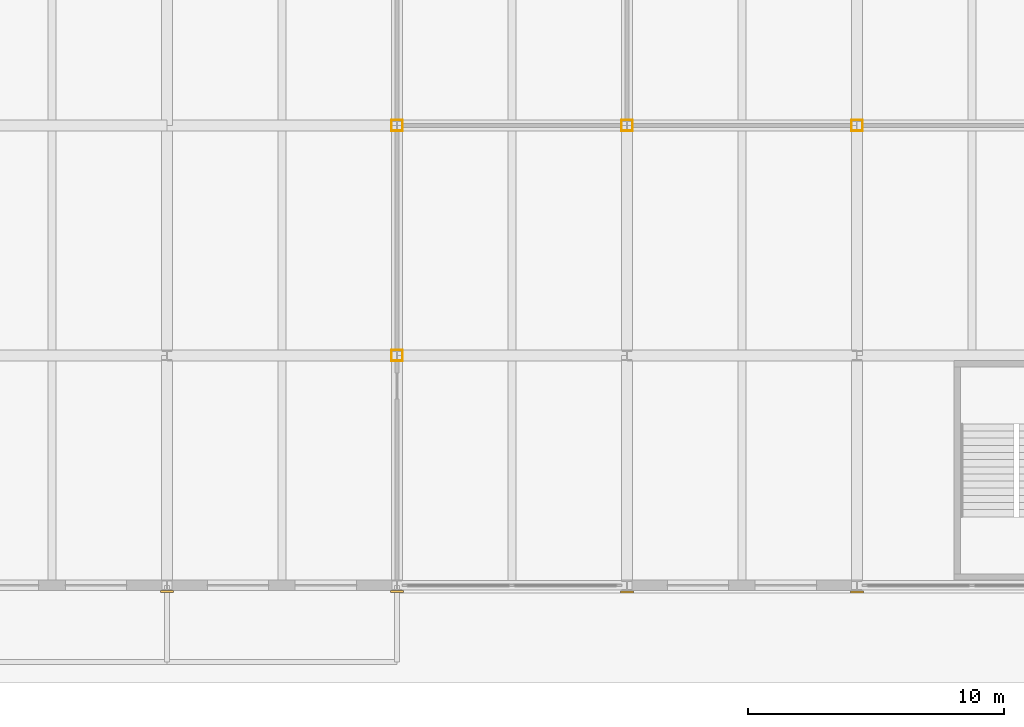
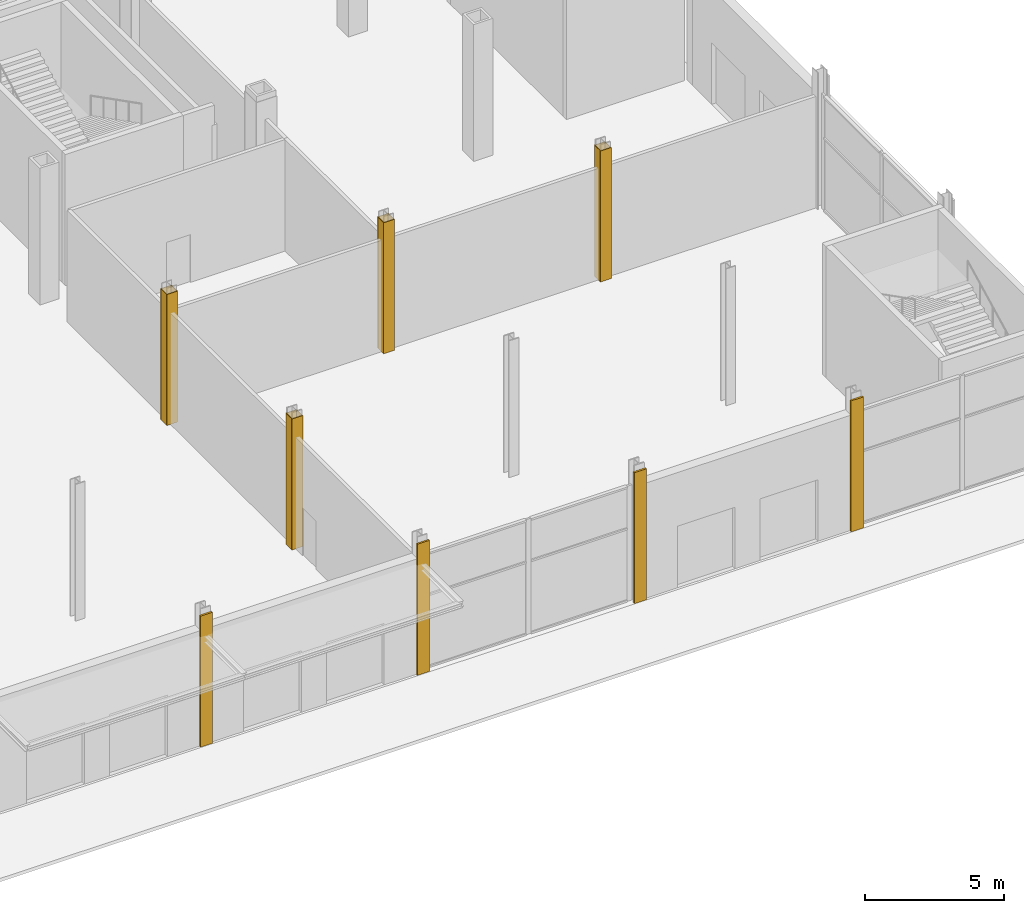
# One storey, part 28 of 34: 20 coverings.
"""IFC4 building model written with IfcOpenShell, lengths in metres."""

from ifc_helpers import new_model, si_unit, direction, frame, origin, origin_2d, place, context, subcontext, project, spatial, rectangle, extrude, material, layer, layer_set, type_object, element, save


model = new_model("IFC4")

# Units and contexts
model_context = context("Model", 3, precision=1e-05, world=origin(), true_north=direction((0.0, 1.0)))
body_context = subcontext(model_context, "Body", "Model", "MODEL_VIEW")
ifc_project = project(units=[si_unit("LENGTHUNIT", "METRE"), si_unit("AREAUNIT", "SQUARE_METRE"), si_unit("VOLUMEUNIT", "CUBIC_METRE"), si_unit("PLANEANGLEUNIT", "RADIAN"), si_unit("MASSUNIT", "GRAM", prefix="KILO")], contexts=[model_context])

# Site, building, storey
site_placement = place(None, origin())
site = spatial("IfcSite", under=ifc_project, at=site_placement, CompositionType="ELEMENT")
building_placement = place(site_placement, origin())
building = spatial("IfcBuilding", under=site, at=building_placement, Name="Loomwork Tower", CompositionType="ELEMENT")
storey_placement = place(building_placement, origin())
storey = spatial("IfcBuildingStorey", under=building, at=storey_placement, Name="L00", CompositionType="ELEMENT", Elevation=0.0)

# Coverings
ifc_material_1 = material(Name="Two-hour fire-rated gypsum board casing")
ifc_layer_1 = layer(ifc_material_1, 0.02490234375)
ifc_layer_set_1 = layer_set([ifc_layer_1], Name="Column fire casing 25")
covering_type_1 = type_object("IfcCoveringType", Name="Column fire casing 25", PredefinedType="CLADDING", material=ifc_layer_set_1)
for number, where, z_axis, x_axis, name in (
    (1, (36.0, -17.7880859375, 0.0), (0.0, 0.0, 1.0), (1.0, 0.0, 0.0), "Column casing 36 -18 L00"),
    (2, (36.0, -18.2119140625, 0.0), (0.0, 0.0, 1.0), (1.0, 0.0, 0.0), "Column casing 36 -18 L00"),
):
    element("IfcCovering", number, at=place(storey_placement, frame(where, z_axis=z_axis, x_axis=x_axis)), inside=storey, type_object=covering_type_1, Name=name, PredefinedType="CLADDING", context=body_context, shape_type="SweptSolid", body=[
        extrude(rectangle(XDim=0.451416015625, YDim=0.02490234375, at=origin_2d()), origin(), (0.0, 0.0, 1.0), 5.75),
    ])
for number, where, z_axis, x_axis, name in (
    (3, (36.213134765625, -18.0, 0.0), (0.0, 0.0, 1.0), (1.0, 0.0, 0.0), "Column casing 36 -18 L00"),
    (4, (35.786865234375, -18.0, 0.0), (0.0, 0.0, 1.0), (1.0, 0.0, 0.0), "Column casing 36 -18 L00"),
):
    element("IfcCovering", number, at=place(storey_placement, frame(where, z_axis=z_axis, x_axis=x_axis)), inside=storey, type_object=covering_type_1, Name=name, PredefinedType="CLADDING", context=body_context, shape_type="SweptSolid", body=[
        extrude(rectangle(XDim=0.02490234375, YDim=0.398681640625, at=origin_2d()), origin(), (0.0, 0.0, 1.0), 5.75),
    ])
for number, where, z_axis, x_axis, name in (
    (5, (36.0, -8.7880859375, 0.0), (0.0, 0.0, 1.0), (1.0, 0.0, 0.0), "Column casing 36 -9 L00"),
    (6, (36.0, -9.2119140625, 0.0), (0.0, 0.0, 1.0), (1.0, 0.0, 0.0), "Column casing 36 -9 L00"),
):
    element("IfcCovering", number, at=place(storey_placement, frame(where, z_axis=z_axis, x_axis=x_axis)), inside=storey, type_object=covering_type_1, Name=name, PredefinedType="CLADDING", context=body_context, shape_type="SweptSolid", body=[
        extrude(rectangle(XDim=0.451416015625, YDim=0.02490234375, at=origin_2d()), origin(), (0.0, 0.0, 1.0), 5.75),
    ])
for number, where, z_axis, x_axis, name in (
    (7, (36.213134765625, -9.0, 0.0), (0.0, 0.0, 1.0), (1.0, 0.0, 0.0), "Column casing 36 -9 L00"),
    (8, (35.786865234375, -9.0, 0.0), (0.0, 0.0, 1.0), (1.0, 0.0, 0.0), "Column casing 36 -9 L00"),
):
    element("IfcCovering", number, at=place(storey_placement, frame(where, z_axis=z_axis, x_axis=x_axis)), inside=storey, type_object=covering_type_1, Name=name, PredefinedType="CLADDING", context=body_context, shape_type="SweptSolid", body=[
        extrude(rectangle(XDim=0.02490234375, YDim=0.398681640625, at=origin_2d()), origin(), (0.0, 0.0, 1.0), 5.75),
    ])
for number, where, z_axis, x_axis, name in (
    (9, (45.0, -8.7880859375, 0.0), (0.0, 0.0, 1.0), (1.0, 0.0, 0.0), "Column casing 45 -9 L00"),
    (10, (45.0, -9.2119140625, 0.0), (0.0, 0.0, 1.0), (1.0, 0.0, 0.0), "Column casing 45 -9 L00"),
):
    element("IfcCovering", number, at=place(storey_placement, frame(where, z_axis=z_axis, x_axis=x_axis)), inside=storey, type_object=covering_type_1, Name=name, PredefinedType="CLADDING", context=body_context, shape_type="SweptSolid", body=[
        extrude(rectangle(XDim=0.451416015625, YDim=0.02490234375, at=origin_2d()), origin(), (0.0, 0.0, 1.0), 5.75),
    ])
for number, where, z_axis, x_axis, name in (
    (11, (45.213134765625, -9.0, 0.0), (0.0, 0.0, 1.0), (1.0, 0.0, 0.0), "Column casing 45 -9 L00"),
    (12, (44.786865234375, -9.0, 0.0), (0.0, 0.0, 1.0), (1.0, 0.0, 0.0), "Column casing 45 -9 L00"),
):
    element("IfcCovering", number, at=place(storey_placement, frame(where, z_axis=z_axis, x_axis=x_axis)), inside=storey, type_object=covering_type_1, Name=name, PredefinedType="CLADDING", context=body_context, shape_type="SweptSolid", body=[
        extrude(rectangle(XDim=0.02490234375, YDim=0.398681640625, at=origin_2d()), origin(), (0.0, 0.0, 1.0), 5.75),
    ])
for number, where, z_axis, x_axis, name in (
    (13, (54.0, -8.7880859375, 0.0), (0.0, 0.0, 1.0), (1.0, 0.0, 0.0), "Column casing 54 -9 L00"),
    (14, (54.0, -9.2119140625, 0.0), (0.0, 0.0, 1.0), (1.0, 0.0, 0.0), "Column casing 54 -9 L00"),
):
    element("IfcCovering", number, at=place(storey_placement, frame(where, z_axis=z_axis, x_axis=x_axis)), inside=storey, type_object=covering_type_1, Name=name, PredefinedType="CLADDING", context=body_context, shape_type="SweptSolid", body=[
        extrude(rectangle(XDim=0.451416015625, YDim=0.02490234375, at=origin_2d()), origin(), (0.0, 0.0, 1.0), 5.75),
    ])
for number, where, z_axis, x_axis, name in (
    (15, (54.213134765625, -9.0, 0.0), (0.0, 0.0, 1.0), (1.0, 0.0, 0.0), "Column casing 54 -9 L00"),
    (16, (53.786865234375, -9.0, 0.0), (0.0, 0.0, 1.0), (1.0, 0.0, 0.0), "Column casing 54 -9 L00"),
):
    element("IfcCovering", number, at=place(storey_placement, frame(where, z_axis=z_axis, x_axis=x_axis)), inside=storey, type_object=covering_type_1, Name=name, PredefinedType="CLADDING", context=body_context, shape_type="SweptSolid", body=[
        extrude(rectangle(XDim=0.02490234375, YDim=0.398681640625, at=origin_2d()), origin(), (0.0, 0.0, 1.0), 5.75),
    ])
ifc_material_2 = material(Name="Limestone", Category="masonry")
ifc_layer_2 = layer(ifc_material_2, 0.080078125)
ifc_layer_set_2 = layer_set([ifc_layer_2], Name="Limestone pier facing 80")
covering_type_2 = type_object("IfcCoveringType", Name="Limestone pier facing 80", PredefinedType="CLADDING", material=ifc_layer_set_2)
for number, where, z_axis, x_axis, name in (
    (17, (27.0, -27.239501953125, 0.0), (0.0, 0.0, 1.0), (1.0, 0.0, 0.0), "Pier facing A/5 L00"),
    (18, (36.0, -27.239501953125, 0.0), (0.0, 0.0, 1.0), (1.0, 0.0, 0.0), "Pier facing A/6 L00"),
):
    element("IfcCovering", number, at=place(storey_placement, frame(where, z_axis=z_axis, x_axis=x_axis)), inside=storey, type_object=covering_type_2, Name=name, PredefinedType="CLADDING", context=body_context, shape_type="SweptSolid", body=[
        extrude(rectangle(XDim=0.501220703125, YDim=0.080078125, at=origin_2d()), origin(), (0.0, 0.0, 1.0), 5.75),
    ])
for number, where, z_axis, x_axis, name in (
    (19, (45.0, -27.252197265625, 0.0), (0.0, 0.0, 1.0), (1.0, 0.0, 0.0), "Pier facing A/7 L00"),
    (20, (54.0, -27.252197265625, 0.0), (0.0, 0.0, 1.0), (1.0, 0.0, 0.0), "Pier facing A/8 L00"),
):
    element("IfcCovering", number, at=place(storey_placement, frame(where, z_axis=z_axis, x_axis=x_axis)), inside=storey, type_object=covering_type_2, Name=name, PredefinedType="CLADDING", context=body_context, shape_type="SweptSolid", body=[
        extrude(rectangle(XDim=0.5087890625, YDim=0.080078125, at=origin_2d()), origin(), (0.0, 0.0, 1.0), 5.75),
    ])

save(model, "model.ifc")
